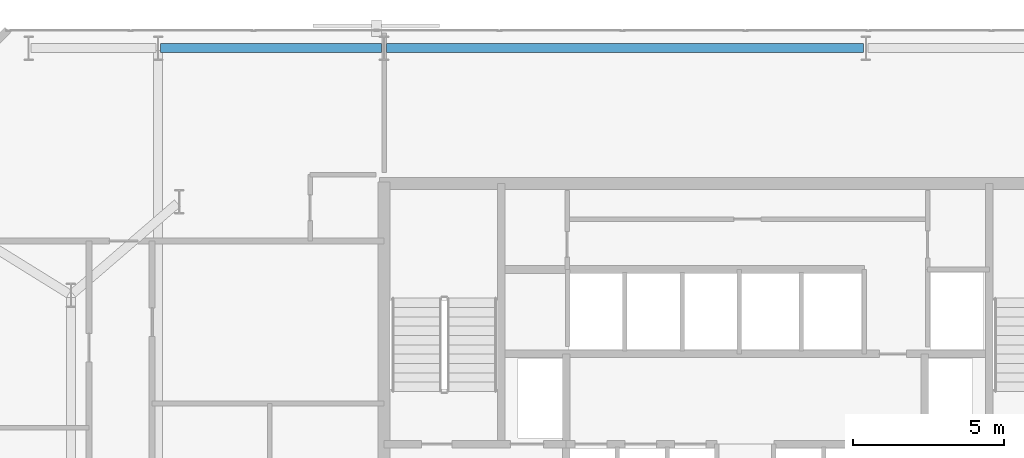
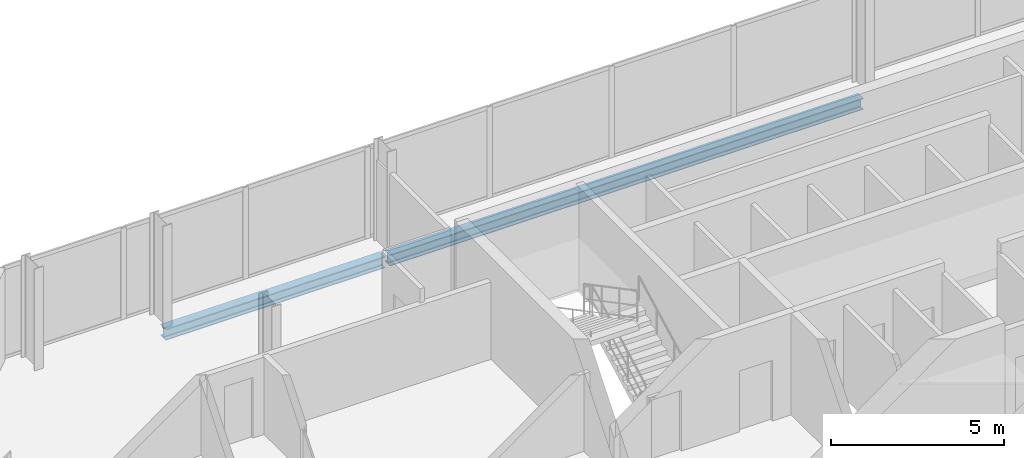
# One storey, part 21 of 33: 2 beams.
"""IFC4 building model written with IfcOpenShell, lengths in metres."""

from ifc_helpers import new_model, si_unit, direction, frame, origin, origin_2d, place, context, subcontext, project, spatial, i_section, extrude, material, material_profile, profile_set, type_object, element, save


model = new_model("IFC4")

# Units and contexts
model_context = context("Model", 3, precision=1e-05, world=origin(), true_north=direction((0.0, 1.0)))
body_context = subcontext(model_context, "Body", "Model", "MODEL_VIEW")
ifc_project = project(units=[si_unit("LENGTHUNIT", "METRE"), si_unit("AREAUNIT", "SQUARE_METRE"), si_unit("VOLUMEUNIT", "CUBIC_METRE"), si_unit("PLANEANGLEUNIT", "RADIAN"), si_unit("MASSUNIT", "GRAM", prefix="KILO")], contexts=[model_context])

# Site, building, storey
site_placement = place(None, origin())
site = spatial("IfcSite", under=ifc_project, at=site_placement, CompositionType="ELEMENT")
building_placement = place(site_placement, origin())
building = spatial("IfcBuilding", under=site, at=building_placement, Name="Catumbela Crestline Tower", CompositionType="ELEMENT")
storey_placement = place(building_placement, frame((0.0, 0.0, 76.2)))
storey = spatial("IfcBuildingStorey", under=building, at=storey_placement, Name="L19", CompositionType="ELEMENT", Elevation=76.2)

# Beams
ifc_material = material(Name="Structural steel S355J2", Category="steel")
ifc_material_profile = material_profile(ifc_material, i_section(OverallWidth=0.3, OverallDepth=0.4, WebThickness=0.0135, FlangeThickness=0.024, FilletRadius=0.027, at=origin_2d()), Name="HEB 400")
ifc_profile_set = profile_set([ifc_material_profile], Name="Structural steel S355J2")
beam_type = type_object("IfcBeamType", Name="BS-HEB400", PredefinedType="SPANDREL", material=ifc_profile_set)
beam_1_placement = place(storey_placement, frame((8.58, 47.4, -0.46), z_axis=(1.0, 0.0, 0.0), x_axis=(0.0, 1.0, 0.0)))
element("IfcBeam", 1, at=beam_1_placement, inside=storey, type_object=beam_type, Name="L19 Spandrel SP-L19-NF20", PredefinedType="SPANDREL", context=body_context, shape_type="SweptSolid", body=[
    extrude(i_section(OverallWidth=0.3, OverallDepth=0.4, WebThickness=0.0135, FlangeThickness=0.024, FilletRadius=0.027, at=origin_2d()), origin(), (0.0, 0.0, 1.0), 7.34),
])
beam_2_placement = place(storey_placement, frame((16.08, 47.4, -0.46), z_axis=(1.0, 0.0, 0.0), x_axis=(0.0, 1.0, 0.0)))
element("IfcBeam", 2, at=beam_2_placement, inside=storey, type_object=beam_type, Name="L19 Spandrel SP-L19-NF21", PredefinedType="SPANDREL", context=body_context, shape_type="SweptSolid", body=[
    extrude(i_section(OverallWidth=0.3, OverallDepth=0.4, WebThickness=0.0135, FlangeThickness=0.024, FilletRadius=0.027, at=origin_2d()), origin(), (0.0, 0.0, 1.0), 15.84),
])

save(model, "model.ifc")
